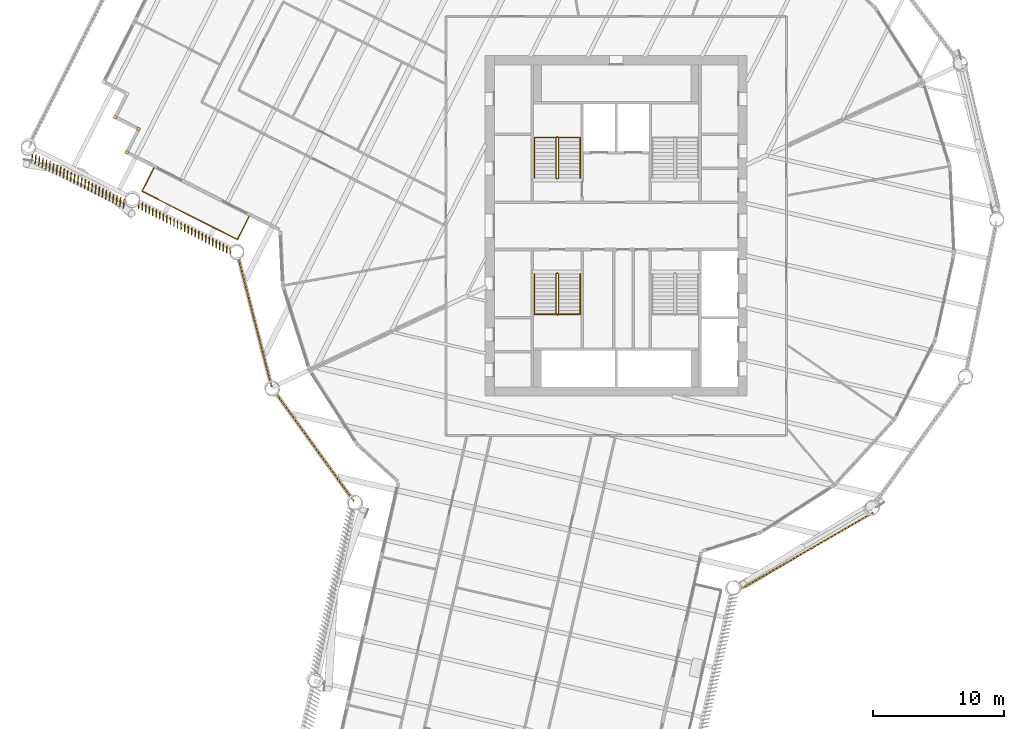
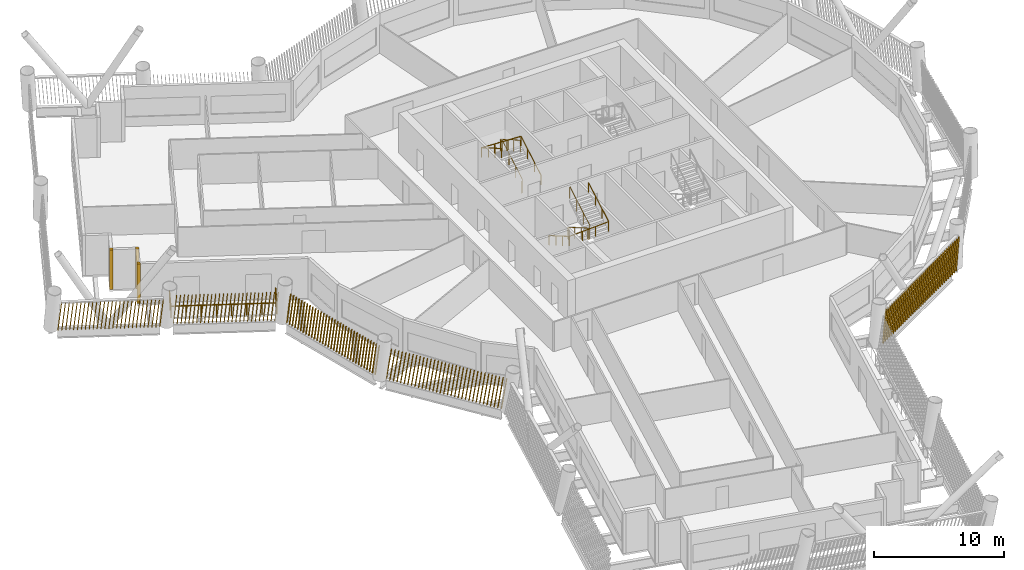
# One storey, part 18 of 21: 8 shading devices, 5 railings.
"""IFC4 building model written with IfcOpenShell, lengths in metres."""

import ifcopenshell
import ifcopenshell.guid

model = None  # the IFC model being written
_history = None  # IfcOwnerHistory: only IFC2X3 demands one
_inside = {}  # id of a spatial element -> (the spatial element, [elements in it])
_under = {}  # id of a project, library or spatial element -> (it, [spatial elements below it])
_declared = {}  # id of a project -> (the project, [libraries it declares])
_typed = {}  # id of a type object -> (the type object, [elements of that type])
_made_of = {}  # id of a material, layer set ... -> (it, [elements and type objects made of it])


def new_model(schema):
    """Start an empty IFC model of exactly this schema.

    Asked for "IFC4X3", IfcOpenShell would pick the latest addendum, in which some entities
    have other attributes; the version numbers below select the first issue.
    IFC2X3 requires an IfcOwnerHistory on every rooted entity: one is made here for all.
    """
    global model, _history
    if schema == "IFC4X3":
        model = ifcopenshell.file(schema_version=(4, 3, 0, 0))
    else:
        model = ifcopenshell.file(schema=schema)
    _inside.clear()
    _under.clear()
    _declared.clear()
    _typed.clear()
    _made_of.clear()
    _history = None
    if model.schema == "IFC2X3":
        org = make("IfcOrganization", Name="unknown")
        user = make(
            "IfcPersonAndOrganization",
            ThePerson=make("IfcPerson", FamilyName="unknown"),
            TheOrganization=org,
        )
        app = make(
            "IfcApplication",
            ApplicationDeveloper=org,
            Version="unknown",
            ApplicationFullName="unknown",
            ApplicationIdentifier="unknown",
        )
        _history = make(
            "IfcOwnerHistory",
            OwningUser=user,
            OwningApplication=app,
            ChangeAction="ADDED",
            CreationDate=0,
        )
    return model


def make(cls, **values):
    """One entity of the class cls with the attributes given. An attribute that is None is left unset."""
    return model.create_entity(
        cls, **{name: value for name, value in values.items() if value is not None}
    )


def rooted(cls, **values):
    """An entity with a GlobalId (a new one), such as an element, a storey or a relation."""
    return make(cls, GlobalId=ifcopenshell.guid.new(), OwnerHistory=_history, **values)


def si_unit(unit_type, name, prefix=None):
    """IfcSIUnit, for example si_unit("LENGTHUNIT", "METRE", prefix="MILLI")."""
    return make("IfcSIUnit", UnitType=unit_type, Prefix=prefix, Name=name)


def assignment(units):
    """IfcUnitAssignment: the units of a project."""
    return None if units is None else make("IfcUnitAssignment", Units=units)


def point(xyz):
    """IfcCartesianPoint."""
    return None if xyz is None else make("IfcCartesianPoint", Coordinates=xyz)


def direction(xyz):
    """IfcDirection."""
    return None if xyz is None else make("IfcDirection", DirectionRatios=xyz)


def frame(location, z_axis=None, x_axis=None):
    """IfcAxis2Placement3D, a coordinate frame: its origin and axes. An axis left out is left unset."""
    return make(
        "IfcAxis2Placement3D",
        Location=point(location),
        Axis=direction(z_axis),
        RefDirection=direction(x_axis),
    )


def frame_2d(location, x_axis=None):
    """IfcAxis2Placement2D, a coordinate frame in the plane: its origin and x axis."""
    return make(
        "IfcAxis2Placement2D", Location=point(location), RefDirection=direction(x_axis)
    )


def origin():
    """The frame at (0, 0, 0) with its axes left unset."""
    return frame((0.0, 0.0, 0.0))


def origin_2d():
    """The frame at (0, 0) in the plane with its x axis left unset."""
    return frame_2d((0.0, 0.0))


def place(relative_to, where):
    """IfcLocalPlacement: puts the frame where relative to a parent placement (None: the world)."""
    return make(
        "IfcLocalPlacement", PlacementRelTo=relative_to, RelativePlacement=where
    )


def context(
    kind, dimensions, precision=None, world=None, true_north=None, identifier=None
):
    """IfcGeometricRepresentationContext, for example the 3D "Model" context."""
    return make(
        "IfcGeometricRepresentationContext",
        ContextIdentifier=identifier,
        ContextType=kind,
        CoordinateSpaceDimension=dimensions,
        Precision=precision,
        WorldCoordinateSystem=world,
        TrueNorth=true_north,
    )


def subcontext(parent, identifier, kind, view, scale=None):
    """IfcGeometricRepresentationSubContext, for example "Body" below "Model"."""
    return make(
        "IfcGeometricRepresentationSubContext",
        ContextIdentifier=identifier,
        ContextType=kind,
        ParentContext=parent,
        TargetScale=scale,
        TargetView=view,
    )


def project(units=None, contexts=None):
    """IfcProject with its units and contexts."""
    return rooted(
        "IfcProject",
        Name="project",
        RepresentationContexts=contexts,
        UnitsInContext=assignment(units),
    )


def spatial(cls, under=None, at=None, **own):
    """A site, building, storey or space (cls), placed at a placement, below another one or the project."""
    s = rooted(cls, ObjectPlacement=at, **own)
    if under is not None:
        _under.setdefault(under.id(), (under, []))[1].append(s)
    return s


def profile(cls, at=None, kind="AREA", **sizes):
    """A parametric profile (cls). Its sizes go by their IFC names, for example OverallWidth=200.0."""
    return make(cls, ProfileType=kind, Position=at, **sizes)


def rectangle(**sizes):
    """IfcRectangleProfileDef."""
    return profile("IfcRectangleProfileDef", **sizes)


def circle(**sizes):
    """IfcCircleProfileDef."""
    return profile("IfcCircleProfileDef", **sizes)


def composite_profile(profiles, kind="AREA"):
    """IfcCompositeProfileDef: several profiles as one."""
    return make("IfcCompositeProfileDef", ProfileType=kind, Profiles=profiles)


def extrude(swept, where, along, depth):
    """IfcExtrudedAreaSolid: the profile swept, set in the frame where, extruded along a direction by depth."""
    return make(
        "IfcExtrudedAreaSolid",
        SweptArea=swept,
        Position=where,
        ExtrudedDirection=direction(along),
        Depth=depth,
    )


def shape(context_of_items, identifier, shape_type, items):
    """IfcShapeRepresentation: the items that make up one representation, for example the "Body"."""
    return make(
        "IfcShapeRepresentation",
        ContextOfItems=context_of_items,
        RepresentationIdentifier=identifier,
        RepresentationType=shape_type,
        Items=items,
    )


def material(Name=None, Category=None):
    """IfcMaterial."""
    return make("IfcMaterial", Name=Name, Category=Category)


def made_of(thing, what):
    """Note that an element or type object is made of a material, layer set ...; save() writes the relation."""
    if what is not None:
        _made_of.setdefault(what.id(), (what, []))[1].append(thing)
    return thing


def type_object(cls, material=None, **own):
    """A type object (cls), such as IfcWallType, which elements share."""
    return made_of(rooted(cls, **own), material)


def element(
    cls,
    number,
    at=None,
    inside=None,
    cuts=None,
    type_object=None,
    material=None,
    context=None,
    identifier="Body",
    shape_type=None,
    held_by="IfcProductDefinitionShape",
    body=None,
    shapes=None,
    **own,
):
    """One element of the class cls, such as IfcWall. Its Tag is "e" and its number.

    at: its placement. inside: the storey or other place that contains it. cuts: it is an
    opening in that element (IfcRelVoidsElement). A single representation is given by context,
    identifier, shape_type and body (its items); several are given by shapes. held_by: the class
    of the entity that holds the representations. save() writes the other relations.
    """
    e = rooted(cls, Tag="e%d" % number, ObjectPlacement=at, **own)
    if body is not None:
        shapes = [shape(context, identifier, shape_type, body)]
    if shapes is not None:
        e.Representation = make(held_by, Representations=shapes)
    if inside is not None:
        _inside.setdefault(inside.id(), (inside, []))[1].append(e)
    if cuts is not None:
        rooted(
            "IfcRelVoidsElement", RelatingBuildingElement=cuts, RelatedOpeningElement=e
        )
    if type_object is not None:
        _typed.setdefault(type_object.id(), (type_object, []))[1].append(e)
    return made_of(e, material)


def aggregate(whole, parts):
    """IfcRelAggregates: a whole, such as a stair, and the parts it consists of."""
    return rooted("IfcRelAggregates", RelatingObject=whole, RelatedObjects=parts)


def save(model, path):
    """Write the relations noted so far, then the file.

    IfcRelAggregates (storeys below a building ...), IfcRelContainedInSpatialStructure (elements
    in a storey), IfcRelDefinesByType, IfcRelAssociatesMaterial and IfcRelDeclares: one each for
    every whole, place, type object, material and project.
    """
    for whole, parts in _under.values():
        aggregate(whole, parts)
    for where, things in _inside.values():
        rooted(
            "IfcRelContainedInSpatialStructure",
            RelatedElements=things,
            RelatingStructure=where,
        )
    for kind, things in _typed.values():
        rooted("IfcRelDefinesByType", RelatedObjects=things, RelatingType=kind)
    for what, things in _made_of.values():
        rooted("IfcRelAssociatesMaterial", RelatedObjects=things, RelatingMaterial=what)
    for by, libraries in _declared.values():
        rooted("IfcRelDeclares", RelatingContext=by, RelatedDefinitions=libraries)
    model.write(path)


model = new_model("IFC4")

# Units and contexts
model_context = context("Model", 3, precision=1e-05, world=origin(), true_north=direction((0.0, 1.0)))
body_context = subcontext(model_context, "Body", "Model", "MODEL_VIEW")
ifc_project = project(units=[si_unit("LENGTHUNIT", "METRE"), si_unit("AREAUNIT", "SQUARE_METRE"), si_unit("VOLUMEUNIT", "CUBIC_METRE"), si_unit("PLANEANGLEUNIT", "RADIAN"), si_unit("MASSUNIT", "GRAM", prefix="KILO")], contexts=[model_context])

# Site, building, storey
site_placement = place(None, origin())
site = spatial("IfcSite", under=ifc_project, at=site_placement, CompositionType="ELEMENT")
building_placement = place(site_placement, origin())
building = spatial("IfcBuilding", under=site, at=building_placement, Name="Tarsis Ring Headquarters", CompositionType="ELEMENT")
storey_placement = place(building_placement, frame((0.0, 0.0, 171.0)))
storey = spatial("IfcBuildingStorey", under=building, at=storey_placement, Name="L39", CompositionType="ELEMENT", Elevation=171.0)

# Railings
ifc_material_1 = material(Name="Stainless steel guard", Category="steel")
railing_type_1 = type_object("IfcRailingType", Name="Balcony balustrade with mesh infill 1100", PredefinedType="BALUSTRADE", material=ifc_material_1)
railing_1_placement = place(storey_placement, frame((-35.3076171875, 4.430419921875, 0.0)))
element("IfcRailing", 1, at=railing_1_placement, inside=storey, type_object=railing_type_1, Name="Balcony balustrade L39-01", PredefinedType="BALUSTRADE", context=body_context, shape_type="SweptSolid", body=[
    extrude(circle(Radius=0.030029296875, at=origin_2d()), frame((0.0, 0.0, 1.070068359375), z_axis=(-0.45174850935, -0.892145326895, 0.0), x_axis=(0.892145326895, -0.45174850935, 0.0)), (0.0, 0.0, 1.0), 2.000244140625),
    extrude(circle(Radius=0.030029296875, at=origin_2d()), frame((-0.903564453125, -1.784423828125, 1.070068359375), z_axis=(0.892114937512, -0.451808519473, 0.0), x_axis=(0.451808519473, 0.892114937512, 0.0)), (0.0, 0.0, 1.0), 8.171875),
    extrude(circle(Radius=0.030029296875, at=origin_2d()), frame((6.38671875, -5.4765625, 1.070068359375), z_axis=(0.451894856245, 0.892071207303, 0.0), x_axis=(-0.892071207303, 0.451894856245, 0.0)), (0.0, 0.0, 1.0), 2.0),
    extrude(circle(Radius=0.02490234375, at=origin_2d()), origin(), (0.0, 0.0, 1.0), 1.0400390625),
    extrude(circle(Radius=0.02490234375, at=origin_2d()), frame((-0.45166015625, -0.89208984375, 0.0)), (0.0, 0.0, 1.0), 1.0400390625),
    extrude(circle(Radius=0.02490234375, at=origin_2d()), frame((-0.903564453125, -1.784423828125, 0.0)), (0.0, 0.0, 1.0), 1.0400390625),
    extrude(circle(Radius=0.02490234375, at=origin_2d()), frame((0.137939453125, -2.311767578125, 0.0)), (0.0, 0.0, 1.0), 1.0400390625),
    extrude(circle(Radius=0.02490234375, at=origin_2d()), frame((1.179443359375, -2.83935546875, 0.0)), (0.0, 0.0, 1.0), 1.0400390625),
    extrude(circle(Radius=0.02490234375, at=origin_2d()), frame((2.220947265625, -3.36669921875, 0.0)), (0.0, 0.0, 1.0), 1.0400390625),
    extrude(circle(Radius=0.02490234375, at=origin_2d()), frame((3.26220703125, -3.894287109375, 0.0)), (0.0, 0.0, 1.0), 1.0400390625),
    extrude(circle(Radius=0.02490234375, at=origin_2d()), frame((4.3037109375, -4.421630859375, 0.0)), (0.0, 0.0, 1.0), 1.0400390625),
    extrude(circle(Radius=0.02490234375, at=origin_2d()), frame((5.34521484375, -4.94921875, 0.0)), (0.0, 0.0, 1.0), 1.0400390625),
    extrude(circle(Radius=0.02490234375, at=origin_2d()), frame((6.38671875, -5.4765625, 0.0)), (0.0, 0.0, 1.0), 1.0400390625),
    extrude(circle(Radius=0.02490234375, at=origin_2d()), frame((6.838623046875, -4.58447265625, 0.0)), (0.0, 0.0, 1.0), 1.0400390625),
    extrude(circle(Radius=0.02490234375, at=origin_2d()), frame((7.29052734375, -3.6923828125, 0.0)), (0.0, 0.0, 1.0), 1.0400390625),
])
ifc_material_2 = material(Name="Steel S355", Category="steel")
railing_type_2 = type_object("IfcRailingType", Name="Core stair guard 1100", PredefinedType="GUARDRAIL", material=ifc_material_2)
railing_2_placement = place(storey_placement, frame((-4.5400390625, 3.610107421875, 0.0)))
element("IfcRailing", 2, at=railing_2_placement, inside=storey, type_object=railing_type_2, Name="L39 ST1 stair guard 1", PredefinedType="GUARDRAIL", context=body_context, shape_type="SweptSolid", body=[
    extrude(circle(Radius=0.02392578125, at=origin_2d()), frame((0.0, 0.0, 1.076171875), z_axis=(1.0, 0.0, 0.0), x_axis=(0.0, 1.0, 0.0)), (0.0, 0.0, 1.0), 0.080078125),
    extrude(circle(Radius=0.02392578125, at=origin_2d()), frame((0.080078125, 0.0, 1.076171875), z_axis=(0.282336740067, 0.280959487676, 0.917250092119), x_axis=(-0.705375805398, 0.708833529934, 0.0)), (0.0, 0.0, 1.0), 0.17724609375),
    extrude(circle(Radius=0.02392578125, at=origin_2d()), frame((0.130126953125, 0.0498046875, 1.23876953125), z_axis=(0.0, 0.864920483161, 0.501908913857), x_axis=(-1.0, 0.0, 0.0)), (0.0, 0.0, 1.0), 3.56103515625),
    extrude(circle(Radius=0.02392578125, at=origin_2d()), frame((0.130126953125, 3.1298828125, 3.02587890625), z_axis=(-0.707106781187, 0.707106781187, 0.0), x_axis=(-0.707106781187, -0.707106781187, 0.0)), (0.0, 0.0, 1.0), 0.07080078125),
    extrude(circle(Radius=0.02392578125, at=origin_2d()), frame((0.080078125, 3.179931640625, 3.02587890625), z_axis=(-1.0, 0.0, 0.0), x_axis=(0.0, -1.0, 0.0)), (0.0, 0.0, 1.0), 0.080078125),
    extrude(circle(Radius=0.02392578125, at=origin_2d()), frame((0.0, 3.179931640625, 3.02587890625), z_axis=(-0.282227285176, -0.282227285176, 0.916894497205), x_axis=(0.707106781187, -0.707106781187, 0.0)), (0.0, 0.0, 1.0), 0.17724609375),
    extrude(circle(Radius=0.02392578125, at=origin_2d()), frame((-0.050048828125, 3.1298828125, 3.1884765625), z_axis=(0.0, -0.864920483161, 0.501908913857), x_axis=(1.0, 0.0, 0.0)), (0.0, 0.0, 1.0), 3.56103515625),
    extrude(circle(Radius=0.02099609375, at=origin_2d()), origin(), (0.0, 0.0, 1.0), 1.052001953125),
    extrude(circle(Radius=0.02099609375, at=origin_2d()), frame((0.080078125, 0.0, 0.0)), (0.0, 0.0, 1.0), 1.052001953125),
    extrude(circle(Radius=0.02099609375, at=origin_2d()), frame((0.130126953125, 0.0498046875, 0.16259765625)), (0.0, 0.0, 1.0), 1.052001953125),
    extrude(circle(Radius=0.02099609375, at=origin_2d()), frame((0.130126953125, 1.076416015625, 0.75830078125)), (0.0, 0.0, 1.0), 1.052001953125),
    extrude(circle(Radius=0.02099609375, at=origin_2d()), frame((0.130126953125, 2.103271484375, 1.354248046875)), (0.0, 0.0, 1.0), 1.052001953125),
    extrude(circle(Radius=0.02099609375, at=origin_2d()), frame((0.130126953125, 3.1298828125, 1.949951171875)), (0.0, 0.0, 1.0), 1.052001953125),
    extrude(circle(Radius=0.02099609375, at=origin_2d()), frame((0.080078125, 3.179931640625, 1.949951171875)), (0.0, 0.0, 1.0), 1.052001953125),
    extrude(circle(Radius=0.02099609375, at=origin_2d()), frame((0.0, 3.179931640625, 1.949951171875)), (0.0, 0.0, 1.0), 1.052001953125),
    extrude(circle(Radius=0.02099609375, at=origin_2d()), frame((-0.050048828125, 3.1298828125, 2.112548828125)), (0.0, 0.0, 1.0), 1.052001953125),
    extrude(circle(Radius=0.02099609375, at=origin_2d()), frame((-0.050048828125, 2.103271484375, 2.708251953125)), (0.0, 0.0, 1.0), 1.052001953125),
    extrude(circle(Radius=0.02099609375, at=origin_2d()), frame((-0.050048828125, 1.076416015625, 3.30419921875)), (0.0, 0.0, 1.0), 1.052001953125),
    extrude(circle(Radius=0.02099609375, at=origin_2d()), frame((-0.050048828125, 0.0498046875, 3.89990234375)), (0.0, 0.0, 1.0), 1.052001953125),
])
railing_3_placement = place(storey_placement, frame((-4.4599609375, -3.610107421875, 0.0)))
element("IfcRailing", 3, at=railing_3_placement, inside=storey, type_object=railing_type_2, Name="L39 ST3 stair guard 1", PredefinedType="GUARDRAIL", context=body_context, shape_type="SweptSolid", body=[
    extrude(circle(Radius=0.02392578125, at=origin_2d()), frame((0.0, 0.0, 1.076171875), z_axis=(-1.0, 0.0, 0.0), x_axis=(0.0, -1.0, 0.0)), (0.0, 0.0, 1.0), 0.080078125),
    extrude(circle(Radius=0.02392578125, at=origin_2d()), frame((-0.080078125, 0.0, 1.076171875), z_axis=(-0.282336740067, -0.280959487676, 0.917250092119), x_axis=(0.705375805398, -0.708833529934, 0.0)), (0.0, 0.0, 1.0), 0.17724609375),
    extrude(circle(Radius=0.02392578125, at=origin_2d()), frame((-0.130126953125, -0.0498046875, 1.23876953125), z_axis=(0.0, -0.864920483161, 0.501908913857), x_axis=(1.0, 0.0, 0.0)), (0.0, 0.0, 1.0), 3.56103515625),
    extrude(circle(Radius=0.02392578125, at=origin_2d()), frame((-0.130126953125, -3.1298828125, 3.02587890625), z_axis=(0.707106781187, -0.707106781187, 0.0), x_axis=(0.707106781187, 0.707106781187, 0.0)), (0.0, 0.0, 1.0), 0.07080078125),
    extrude(circle(Radius=0.02392578125, at=origin_2d()), frame((-0.080078125, -3.179931640625, 3.02587890625), z_axis=(1.0, 0.0, 0.0), x_axis=(0.0, 1.0, 0.0)), (0.0, 0.0, 1.0), 0.080078125),
    extrude(circle(Radius=0.02392578125, at=origin_2d()), frame((0.0, -3.179931640625, 3.02587890625), z_axis=(0.282227285176, 0.282227285176, 0.916894497205), x_axis=(-0.707106781187, 0.707106781187, 0.0)), (0.0, 0.0, 1.0), 0.17724609375),
    extrude(circle(Radius=0.02392578125, at=origin_2d()), frame((0.050048828125, -3.1298828125, 3.1884765625), z_axis=(0.0, 0.864920483161, 0.501908913857), x_axis=(-1.0, 0.0, 0.0)), (0.0, 0.0, 1.0), 3.56103515625),
    extrude(circle(Radius=0.02099609375, at=origin_2d()), origin(), (0.0, 0.0, 1.0), 1.052001953125),
    extrude(circle(Radius=0.02099609375, at=origin_2d()), frame((-0.080078125, 0.0, 0.0)), (0.0, 0.0, 1.0), 1.052001953125),
    extrude(circle(Radius=0.02099609375, at=origin_2d()), frame((-0.130126953125, -0.0498046875, 0.16259765625)), (0.0, 0.0, 1.0), 1.052001953125),
    extrude(circle(Radius=0.02099609375, at=origin_2d()), frame((-0.130126953125, -1.076416015625, 0.75830078125)), (0.0, 0.0, 1.0), 1.052001953125),
    extrude(circle(Radius=0.02099609375, at=origin_2d()), frame((-0.130126953125, -2.103271484375, 1.354248046875)), (0.0, 0.0, 1.0), 1.052001953125),
    extrude(circle(Radius=0.02099609375, at=origin_2d()), frame((-0.130126953125, -3.1298828125, 1.949951171875)), (0.0, 0.0, 1.0), 1.052001953125),
    extrude(circle(Radius=0.02099609375, at=origin_2d()), frame((-0.080078125, -3.179931640625, 1.949951171875)), (0.0, 0.0, 1.0), 1.052001953125),
    extrude(circle(Radius=0.02099609375, at=origin_2d()), frame((0.0, -3.179931640625, 1.949951171875)), (0.0, 0.0, 1.0), 1.052001953125),
    extrude(circle(Radius=0.02099609375, at=origin_2d()), frame((0.050048828125, -3.1298828125, 2.112548828125)), (0.0, 0.0, 1.0), 1.052001953125),
    extrude(circle(Radius=0.02099609375, at=origin_2d()), frame((0.050048828125, -2.103271484375, 2.708251953125)), (0.0, 0.0, 1.0), 1.052001953125),
    extrude(circle(Radius=0.02099609375, at=origin_2d()), frame((0.050048828125, -1.076416015625, 3.30419921875)), (0.0, 0.0, 1.0), 1.052001953125),
    extrude(circle(Radius=0.02099609375, at=origin_2d()), frame((0.050048828125, -0.0498046875, 3.89990234375)), (0.0, 0.0, 1.0), 1.052001953125),
])
railing_type_3 = type_object("IfcRailingType", Name="Core stair handrail 900", PredefinedType="HANDRAIL", material=ifc_material_2)
railing_4_placement = place(storey_placement, frame((-2.75, 3.659912109375, 0.16259765625)))
element("IfcRailing", 4, at=railing_4_placement, inside=storey, type_object=railing_type_3, Name="L39 ST1 stair handrail 1", PredefinedType="HANDRAIL", context=body_context, shape_type="SweptSolid", body=[
    extrude(circle(Radius=0.02392578125, at=origin_2d()), frame((0.0, 0.0, 0.8759765625), z_axis=(0.0, 0.864920483161, 0.501908913857), x_axis=(-1.0, 0.0, 0.0)), (0.0, 0.0, 1.0), 3.56103515625),
    extrude(circle(Radius=0.02392578125, at=origin_2d()), frame((0.0, 3.080078125, 2.6630859375), z_axis=(-0.998922641604, 0.0, 0.046406422943), x_axis=(0.0, -1.0, 0.0)), (0.0, 0.0, 1.0), 3.503662109375),
    extrude(circle(Radius=0.02392578125, at=origin_2d()), frame((-3.5, 3.080078125, 2.82568359375), z_axis=(0.0, -0.864920483161, 0.501908913857), x_axis=(1.0, 0.0, 0.0)), (0.0, 0.0, 1.0), 3.56103515625),
    extrude(circle(Radius=0.02099609375, at=origin_2d()), origin(), (0.0, 0.0, 1.0), 0.851806640625),
    extrude(circle(Radius=0.02099609375, at=origin_2d()), frame((0.0, 1.026611328125, 0.595703125)), (0.0, 0.0, 1.0), 0.851806640625),
    extrude(circle(Radius=0.02099609375, at=origin_2d()), frame((0.0, 2.053466796875, 1.191650390625)), (0.0, 0.0, 1.0), 0.851806640625),
    extrude(circle(Radius=0.02099609375, at=origin_2d()), frame((0.0, 3.080078125, 1.787353515625)), (0.0, 0.0, 1.0), 0.851806640625),
    extrude(circle(Radius=0.02099609375, at=origin_2d()), frame((-1.166748046875, 3.080078125, 1.841552734375)), (0.0, 0.0, 1.0), 0.851806640625),
    extrude(circle(Radius=0.02099609375, at=origin_2d()), frame((-2.333251953125, 3.080078125, 1.895751953125)), (0.0, 0.0, 1.0), 0.851806640625),
    extrude(circle(Radius=0.02099609375, at=origin_2d()), frame((-3.5, 3.080078125, 1.949951171875)), (0.0, 0.0, 1.0), 0.851806640625),
    extrude(circle(Radius=0.02099609375, at=origin_2d()), frame((-3.5, 2.053466796875, 2.545654296875)), (0.0, 0.0, 1.0), 0.851806640625),
    extrude(circle(Radius=0.02099609375, at=origin_2d()), frame((-3.5, 1.026611328125, 3.1416015625)), (0.0, 0.0, 1.0), 0.851806640625),
    extrude(circle(Radius=0.02099609375, at=origin_2d()), frame((-3.5, 0.0, 3.7373046875)), (0.0, 0.0, 1.0), 0.851806640625),
])
railing_5_placement = place(storey_placement, frame((-6.25, -3.659912109375, 0.16259765625)))
element("IfcRailing", 5, at=railing_5_placement, inside=storey, type_object=railing_type_3, Name="L39 ST3 stair handrail 1", PredefinedType="HANDRAIL", context=body_context, shape_type="SweptSolid", body=[
    extrude(circle(Radius=0.02392578125, at=origin_2d()), frame((0.0, 0.0, 0.8759765625), z_axis=(0.0, -0.864920483161, 0.501908913857), x_axis=(1.0, 0.0, 0.0)), (0.0, 0.0, 1.0), 3.56103515625),
    extrude(circle(Radius=0.02392578125, at=origin_2d()), frame((0.0, -3.080078125, 2.6630859375), z_axis=(0.998922641604, 0.0, 0.046406422943), x_axis=(0.0, 1.0, 0.0)), (0.0, 0.0, 1.0), 3.503662109375),
    extrude(circle(Radius=0.02392578125, at=origin_2d()), frame((3.5, -3.080078125, 2.82568359375), z_axis=(0.0, 0.864920483161, 0.501908913857), x_axis=(-1.0, 0.0, 0.0)), (0.0, 0.0, 1.0), 3.56103515625),
    extrude(circle(Radius=0.02099609375, at=origin_2d()), origin(), (0.0, 0.0, 1.0), 0.851806640625),
    extrude(circle(Radius=0.02099609375, at=origin_2d()), frame((0.0, -1.026611328125, 0.595703125)), (0.0, 0.0, 1.0), 0.851806640625),
    extrude(circle(Radius=0.02099609375, at=origin_2d()), frame((0.0, -2.053466796875, 1.191650390625)), (0.0, 0.0, 1.0), 0.851806640625),
    extrude(circle(Radius=0.02099609375, at=origin_2d()), frame((0.0, -3.080078125, 1.787353515625)), (0.0, 0.0, 1.0), 0.851806640625),
    extrude(circle(Radius=0.02099609375, at=origin_2d()), frame((1.166748046875, -3.080078125, 1.841552734375)), (0.0, 0.0, 1.0), 0.851806640625),
    extrude(circle(Radius=0.02099609375, at=origin_2d()), frame((2.333251953125, -3.080078125, 1.895751953125)), (0.0, 0.0, 1.0), 0.851806640625),
    extrude(circle(Radius=0.02099609375, at=origin_2d()), frame((3.5, -3.080078125, 1.949951171875)), (0.0, 0.0, 1.0), 0.851806640625),
    extrude(circle(Radius=0.02099609375, at=origin_2d()), frame((3.5, -2.053466796875, 2.545654296875)), (0.0, 0.0, 1.0), 0.851806640625),
    extrude(circle(Radius=0.02099609375, at=origin_2d()), frame((3.5, -1.026611328125, 3.1416015625)), (0.0, 0.0, 1.0), 0.851806640625),
    extrude(circle(Radius=0.02099609375, at=origin_2d()), frame((3.5, 0.0, 3.7373046875)), (0.0, 0.0, 1.0), 0.851806640625),
])

# Shading devices
ifc_material_3 = material(Name="Terracotta baguette", Category="masonry")
shading_device_type_1 = type_object("IfcShadingDeviceType", Name="Terracotta baguette screen", PredefinedType="USERDEFINED", material=ifc_material_3)
shading_device_1_placement = place(storey_placement, frame((-26.004150390625, -12.74609375, 0.0), z_axis=(0.0, 0.0, 1.0), x_axis=(0.585309181761, -0.810818238601, 0.0)))
element("IfcShadingDevice", 6, at=shading_device_1_placement, inside=storey, type_object=shading_device_type_1, Name="Baguette screen L39-00", ObjectType="Terracotta baguette screen", PredefinedType="USERDEFINED", context=body_context, shape_type="SweptSolid", body=[
    extrude(composite_profile([rectangle(XDim=0.06005859375, YDim=0.1201171875, at=frame_2d((0.030029296875, 0.0))), rectangle(XDim=0.06005859375, YDim=0.1201171875, at=frame_2d((0.33349609375, 0.0))), rectangle(XDim=0.06005859375, YDim=0.1201171875, at=frame_2d((0.636962890625, 0.0))), rectangle(XDim=0.06005859375, YDim=0.1201171875, at=frame_2d((0.9404296875, 0.0))), rectangle(XDim=0.06005859375, YDim=0.1201171875, at=frame_2d((1.243896484375, 0.0))), rectangle(XDim=0.06005859375, YDim=0.1201171875, at=frame_2d((1.54736328125, 0.0))), rectangle(XDim=0.06005859375, YDim=0.1201171875, at=frame_2d((1.85107421875, 0.0))), rectangle(XDim=0.06005859375, YDim=0.1201171875, at=frame_2d((2.154541015625, 0.0))), rectangle(XDim=0.06005859375, YDim=0.1201171875, at=frame_2d((2.4580078125, 0.0))), rectangle(XDim=0.06005859375, YDim=0.1201171875, at=frame_2d((2.761474609375, 0.0))), rectangle(XDim=0.06005859375, YDim=0.1201171875, at=frame_2d((3.06494140625, 0.0))), rectangle(XDim=0.06005859375, YDim=0.1201171875, at=frame_2d((3.368408203125, 0.0))), rectangle(XDim=0.06005859375, YDim=0.1201171875, at=frame_2d((3.671875, 0.0))), rectangle(XDim=0.06005859375, YDim=0.1201171875, at=frame_2d((3.975341796875, 0.0))), rectangle(XDim=0.06005859375, YDim=0.1201171875, at=frame_2d((4.27880859375, 0.0))), rectangle(XDim=0.06005859375, YDim=0.1201171875, at=frame_2d((4.582275390625, 0.0))), rectangle(XDim=0.06005859375, YDim=0.1201171875, at=frame_2d((4.8857421875, 0.0))), rectangle(XDim=0.06005859375, YDim=0.1201171875, at=frame_2d((5.189453125, 0.0))), rectangle(XDim=0.06005859375, YDim=0.1201171875, at=frame_2d((5.492919921875, 0.0))), rectangle(XDim=0.06005859375, YDim=0.1201171875, at=frame_2d((5.79638671875, 0.0))), rectangle(XDim=0.06005859375, YDim=0.1201171875, at=frame_2d((6.099853515625, 0.0))), rectangle(XDim=0.06005859375, YDim=0.1201171875, at=frame_2d((6.4033203125, 0.0))), rectangle(XDim=0.06005859375, YDim=0.1201171875, at=frame_2d((6.706787109375, 0.0))), rectangle(XDim=0.06005859375, YDim=0.1201171875, at=frame_2d((7.01025390625, 0.0))), rectangle(XDim=0.06005859375, YDim=0.1201171875, at=frame_2d((7.313720703125, 0.0))), rectangle(XDim=0.06005859375, YDim=0.1201171875, at=frame_2d((7.6171875, 0.0))), rectangle(XDim=0.06005859375, YDim=0.1201171875, at=frame_2d((7.920654296875, 0.0))), rectangle(XDim=0.06005859375, YDim=0.1201171875, at=frame_2d((8.224365234375, 0.0))), rectangle(XDim=0.06005859375, YDim=0.1201171875, at=frame_2d((8.52783203125, 0.0))), rectangle(XDim=0.06005859375, YDim=0.1201171875, at=frame_2d((8.831298828125, 0.0))), rectangle(XDim=0.06005859375, YDim=0.1201171875, at=frame_2d((9.134765625, 0.0))), rectangle(XDim=0.06005859375, YDim=0.1201171875, at=frame_2d((9.438232421875, 0.0))), rectangle(XDim=0.06005859375, YDim=0.1201171875, at=frame_2d((9.74169921875, 0.0)))]), origin(), (0.150265219103, 0.001181137423, 0.988645016597), 2.98388671875),
])
shading_device_2_placement = place(storey_placement, frame((9.486083984375, -27.738037109375, 0.0), z_axis=(0.0, 0.0, 1.0), x_axis=(0.866521975041, 0.499120998372, 0.0)))
element("IfcShadingDevice", 7, at=shading_device_2_placement, inside=storey, type_object=shading_device_type_1, Name="Baguette screen L39-07", ObjectType="Terracotta baguette screen", PredefinedType="USERDEFINED", context=body_context, shape_type="SweptSolid", body=[
    extrude(composite_profile([rectangle(XDim=0.06005859375, YDim=0.1201171875, at=frame_2d((0.030029296875, 0.0))), rectangle(XDim=0.06005859375, YDim=0.1201171875, at=frame_2d((0.33251953125, 0.0))), rectangle(XDim=0.06005859375, YDim=0.1201171875, at=frame_2d((0.634765625, 0.0))), rectangle(XDim=0.06005859375, YDim=0.1201171875, at=frame_2d((0.937255859375, 0.0))), rectangle(XDim=0.06005859375, YDim=0.1201171875, at=frame_2d((1.239501953125, 0.0))), rectangle(XDim=0.06005859375, YDim=0.1201171875, at=frame_2d((1.5419921875, 0.0))), rectangle(XDim=0.06005859375, YDim=0.1201171875, at=frame_2d((1.844482421875, 0.0))), rectangle(XDim=0.06005859375, YDim=0.1201171875, at=frame_2d((2.146728515625, 0.0))), rectangle(XDim=0.06005859375, YDim=0.1201171875, at=frame_2d((2.44921875, 0.0))), rectangle(XDim=0.06005859375, YDim=0.1201171875, at=frame_2d((2.751708984375, 0.0))), rectangle(XDim=0.06005859375, YDim=0.1201171875, at=frame_2d((3.053955078125, 0.0))), rectangle(XDim=0.06005859375, YDim=0.1201171875, at=frame_2d((3.3564453125, 0.0))), rectangle(XDim=0.06005859375, YDim=0.1201171875, at=frame_2d((3.65869140625, 0.0))), rectangle(XDim=0.06005859375, YDim=0.1201171875, at=frame_2d((3.961181640625, 0.0))), rectangle(XDim=0.06005859375, YDim=0.1201171875, at=frame_2d((4.263671875, 0.0))), rectangle(XDim=0.06005859375, YDim=0.1201171875, at=frame_2d((4.56591796875, 0.0))), rectangle(XDim=0.06005859375, YDim=0.1201171875, at=frame_2d((4.868408203125, 0.0))), rectangle(XDim=0.06005859375, YDim=0.1201171875, at=frame_2d((5.1708984375, 0.0))), rectangle(XDim=0.06005859375, YDim=0.1201171875, at=frame_2d((5.47314453125, 0.0))), rectangle(XDim=0.06005859375, YDim=0.1201171875, at=frame_2d((5.775634765625, 0.0))), rectangle(XDim=0.06005859375, YDim=0.1201171875, at=frame_2d((6.077880859375, 0.0))), rectangle(XDim=0.06005859375, YDim=0.1201171875, at=frame_2d((6.38037109375, 0.0))), rectangle(XDim=0.06005859375, YDim=0.1201171875, at=frame_2d((6.682861328125, 0.0))), rectangle(XDim=0.06005859375, YDim=0.1201171875, at=frame_2d((6.985107421875, 0.0))), rectangle(XDim=0.06005859375, YDim=0.1201171875, at=frame_2d((7.28759765625, 0.0))), rectangle(XDim=0.06005859375, YDim=0.1201171875, at=frame_2d((7.590087890625, 0.0))), rectangle(XDim=0.06005859375, YDim=0.1201171875, at=frame_2d((7.892333984375, 0.0))), rectangle(XDim=0.06005859375, YDim=0.1201171875, at=frame_2d((8.19482421875, 0.0))), rectangle(XDim=0.06005859375, YDim=0.1201171875, at=frame_2d((8.4970703125, 0.0))), rectangle(XDim=0.06005859375, YDim=0.1201171875, at=frame_2d((8.799560546875, 0.0))), rectangle(XDim=0.06005859375, YDim=0.1201171875, at=frame_2d((9.10205078125, 0.0))), rectangle(XDim=0.06005859375, YDim=0.1201171875, at=frame_2d((9.404296875, 0.0))), rectangle(XDim=0.06005859375, YDim=0.1201171875, at=frame_2d((9.706787109375, 0.0))), rectangle(XDim=0.06005859375, YDim=0.1201171875, at=frame_2d((10.00927734375, 0.0))), rectangle(XDim=0.06005859375, YDim=0.1201171875, at=frame_2d((10.3115234375, 0.0))), rectangle(XDim=0.06005859375, YDim=0.1201171875, at=frame_2d((10.614013671875, 0.0))), rectangle(XDim=0.06005859375, YDim=0.1201171875, at=frame_2d((10.916259765625, 0.0))), rectangle(XDim=0.06005859375, YDim=0.1201171875, at=frame_2d((11.21875, 0.0)))]), origin(), (0.151423807834, 0.001186798727, 0.98846821999), 2.984375),
])
shading_device_3_placement = place(storey_placement, frame((-44.592529296875, 5.57373046875, 0.0), z_axis=(0.0, 0.0, 1.0), x_axis=(0.892112336639, -0.451818209905, 0.0)))
element("IfcShadingDevice", 8, at=shading_device_3_placement, inside=storey, type_object=shading_device_type_1, Name="Baguette screen L39-19", ObjectType="Terracotta baguette screen", PredefinedType="USERDEFINED", context=body_context, shape_type="SweptSolid", body=[
    extrude(composite_profile([rectangle(XDim=0.06005859375, YDim=0.1201171875, at=frame_2d((0.030029296875, 0.0))), rectangle(XDim=0.06005859375, YDim=0.1201171875, at=frame_2d((0.33154296875, 0.0))), rectangle(XDim=0.06005859375, YDim=0.1201171875, at=frame_2d((0.63330078125, 0.0))), rectangle(XDim=0.06005859375, YDim=0.1201171875, at=frame_2d((0.934814453125, 0.0))), rectangle(XDim=0.06005859375, YDim=0.1201171875, at=frame_2d((1.236572265625, 0.0))), rectangle(XDim=0.06005859375, YDim=0.1201171875, at=frame_2d((1.5380859375, 0.0))), rectangle(XDim=0.06005859375, YDim=0.1201171875, at=frame_2d((1.83984375, 0.0))), rectangle(XDim=0.06005859375, YDim=0.1201171875, at=frame_2d((2.141357421875, 0.0))), rectangle(XDim=0.06005859375, YDim=0.1201171875, at=frame_2d((2.443115234375, 0.0))), rectangle(XDim=0.06005859375, YDim=0.1201171875, at=frame_2d((2.74462890625, 0.0))), rectangle(XDim=0.06005859375, YDim=0.1201171875, at=frame_2d((3.04638671875, 0.0))), rectangle(XDim=0.06005859375, YDim=0.1201171875, at=frame_2d((3.347900390625, 0.0))), rectangle(XDim=0.06005859375, YDim=0.1201171875, at=frame_2d((3.649658203125, 0.0))), rectangle(XDim=0.06005859375, YDim=0.1201171875, at=frame_2d((3.951171875, 0.0))), rectangle(XDim=0.06005859375, YDim=0.1201171875, at=frame_2d((4.252685546875, 0.0))), rectangle(XDim=0.06005859375, YDim=0.1201171875, at=frame_2d((4.554443359375, 0.0))), rectangle(XDim=0.06005859375, YDim=0.1201171875, at=frame_2d((4.85595703125, 0.0))), rectangle(XDim=0.06005859375, YDim=0.1201171875, at=frame_2d((5.15771484375, 0.0))), rectangle(XDim=0.06005859375, YDim=0.1201171875, at=frame_2d((5.459228515625, 0.0))), rectangle(XDim=0.06005859375, YDim=0.1201171875, at=frame_2d((5.760986328125, 0.0))), rectangle(XDim=0.06005859375, YDim=0.1201171875, at=frame_2d((6.0625, 0.0))), rectangle(XDim=0.06005859375, YDim=0.1201171875, at=frame_2d((6.3642578125, 0.0))), rectangle(XDim=0.06005859375, YDim=0.1201171875, at=frame_2d((6.665771484375, 0.0))), rectangle(XDim=0.06005859375, YDim=0.1201171875, at=frame_2d((6.967529296875, 0.0))), rectangle(XDim=0.06005859375, YDim=0.1201171875, at=frame_2d((7.26904296875, 0.0))), rectangle(XDim=0.06005859375, YDim=0.1201171875, at=frame_2d((7.57080078125, 0.0))), rectangle(XDim=0.06005859375, YDim=0.1201171875, at=frame_2d((7.872314453125, 0.0)))]), origin(), (0.080487926213, -0.198820423037, 0.976725208601), 3.020263671875),
])
shading_device_4_placement = place(storey_placement, frame((-36.4814453125, 1.88623046875, 0.0), z_axis=(0.0, 0.0, 1.0), x_axis=(0.892115669797, -0.451804251112, 0.0)))
element("IfcShadingDevice", 9, at=shading_device_4_placement, inside=storey, type_object=shading_device_type_1, Name="Baguette screen L39-20", ObjectType="Terracotta baguette screen", PredefinedType="USERDEFINED", context=body_context, shape_type="SweptSolid", body=[
    extrude(composite_profile([rectangle(XDim=0.06005859375, YDim=0.1201171875, at=frame_2d((0.030029296875, 0.0))), rectangle(XDim=0.06005859375, YDim=0.1201171875, at=frame_2d((0.33154296875, 0.0))), rectangle(XDim=0.06005859375, YDim=0.1201171875, at=frame_2d((0.63330078125, 0.0))), rectangle(XDim=0.06005859375, YDim=0.1201171875, at=frame_2d((0.934814453125, 0.0))), rectangle(XDim=0.06005859375, YDim=0.1201171875, at=frame_2d((1.236572265625, 0.0))), rectangle(XDim=0.06005859375, YDim=0.1201171875, at=frame_2d((1.5380859375, 0.0))), rectangle(XDim=0.06005859375, YDim=0.1201171875, at=frame_2d((1.83984375, 0.0))), rectangle(XDim=0.06005859375, YDim=0.1201171875, at=frame_2d((2.141357421875, 0.0))), rectangle(XDim=0.06005859375, YDim=0.1201171875, at=frame_2d((2.443115234375, 0.0))), rectangle(XDim=0.06005859375, YDim=0.1201171875, at=frame_2d((2.74462890625, 0.0))), rectangle(XDim=0.06005859375, YDim=0.1201171875, at=frame_2d((3.04638671875, 0.0))), rectangle(XDim=0.06005859375, YDim=0.1201171875, at=frame_2d((3.347900390625, 0.0))), rectangle(XDim=0.06005859375, YDim=0.1201171875, at=frame_2d((3.649658203125, 0.0))), rectangle(XDim=0.06005859375, YDim=0.1201171875, at=frame_2d((3.951171875, 0.0))), rectangle(XDim=0.06005859375, YDim=0.1201171875, at=frame_2d((4.252685546875, 0.0))), rectangle(XDim=0.06005859375, YDim=0.1201171875, at=frame_2d((4.554443359375, 0.0))), rectangle(XDim=0.06005859375, YDim=0.1201171875, at=frame_2d((4.85595703125, 0.0))), rectangle(XDim=0.06005859375, YDim=0.1201171875, at=frame_2d((5.15771484375, 0.0))), rectangle(XDim=0.06005859375, YDim=0.1201171875, at=frame_2d((5.459228515625, 0.0))), rectangle(XDim=0.06005859375, YDim=0.1201171875, at=frame_2d((5.760986328125, 0.0))), rectangle(XDim=0.06005859375, YDim=0.1201171875, at=frame_2d((6.0625, 0.0))), rectangle(XDim=0.06005859375, YDim=0.1201171875, at=frame_2d((6.3642578125, 0.0))), rectangle(XDim=0.06005859375, YDim=0.1201171875, at=frame_2d((6.665771484375, 0.0))), rectangle(XDim=0.06005859375, YDim=0.1201171875, at=frame_2d((6.967529296875, 0.0))), rectangle(XDim=0.06005859375, YDim=0.1201171875, at=frame_2d((7.26904296875, 0.0))), rectangle(XDim=0.06005859375, YDim=0.1201171875, at=frame_2d((7.57080078125, 0.0))), rectangle(XDim=0.06005859375, YDim=0.1201171875, at=frame_2d((7.872314453125, 0.0)))]), origin(), (0.078829485708, -0.153822480679, 0.984949012193), 2.9951171875),
])
shading_device_5_placement = place(storey_placement, frame((-28.86083984375, -2.394287109375, 0.0), z_axis=(0.0, 0.0, 1.0), x_axis=(0.249625224865, -0.968343993604, 0.0)))
element("IfcShadingDevice", 10, at=shading_device_5_placement, inside=storey, type_object=shading_device_type_1, Name="Baguette screen L39-21", ObjectType="Terracotta baguette screen", PredefinedType="USERDEFINED", context=body_context, shape_type="SweptSolid", body=[
    extrude(composite_profile([rectangle(XDim=0.06005859375, YDim=0.1201171875, at=frame_2d((0.030029296875, 0.0))), rectangle(XDim=0.06005859375, YDim=0.1201171875, at=frame_2d((0.33349609375, 0.0))), rectangle(XDim=0.06005859375, YDim=0.1201171875, at=frame_2d((0.636962890625, 0.0))), rectangle(XDim=0.06005859375, YDim=0.1201171875, at=frame_2d((0.9404296875, 0.0))), rectangle(XDim=0.06005859375, YDim=0.1201171875, at=frame_2d((1.243896484375, 0.0))), rectangle(XDim=0.06005859375, YDim=0.1201171875, at=frame_2d((1.54736328125, 0.0))), rectangle(XDim=0.06005859375, YDim=0.1201171875, at=frame_2d((1.850830078125, 0.0))), rectangle(XDim=0.06005859375, YDim=0.1201171875, at=frame_2d((2.154296875, 0.0))), rectangle(XDim=0.06005859375, YDim=0.1201171875, at=frame_2d((2.4580078125, 0.0))), rectangle(XDim=0.06005859375, YDim=0.1201171875, at=frame_2d((2.761474609375, 0.0))), rectangle(XDim=0.06005859375, YDim=0.1201171875, at=frame_2d((3.06494140625, 0.0))), rectangle(XDim=0.06005859375, YDim=0.1201171875, at=frame_2d((3.368408203125, 0.0))), rectangle(XDim=0.06005859375, YDim=0.1201171875, at=frame_2d((3.671875, 0.0))), rectangle(XDim=0.06005859375, YDim=0.1201171875, at=frame_2d((3.975341796875, 0.0))), rectangle(XDim=0.06005859375, YDim=0.1201171875, at=frame_2d((4.27880859375, 0.0))), rectangle(XDim=0.06005859375, YDim=0.1201171875, at=frame_2d((4.582275390625, 0.0))), rectangle(XDim=0.06005859375, YDim=0.1201171875, at=frame_2d((4.8857421875, 0.0))), rectangle(XDim=0.06005859375, YDim=0.1201171875, at=frame_2d((5.189208984375, 0.0))), rectangle(XDim=0.06005859375, YDim=0.1201171875, at=frame_2d((5.49267578125, 0.0))), rectangle(XDim=0.06005859375, YDim=0.1201171875, at=frame_2d((5.796142578125, 0.0))), rectangle(XDim=0.06005859375, YDim=0.1201171875, at=frame_2d((6.099609375, 0.0))), rectangle(XDim=0.06005859375, YDim=0.1201171875, at=frame_2d((6.403076171875, 0.0))), rectangle(XDim=0.06005859375, YDim=0.1201171875, at=frame_2d((6.70654296875, 0.0))), rectangle(XDim=0.06005859375, YDim=0.1201171875, at=frame_2d((7.010009765625, 0.0))), rectangle(XDim=0.06005859375, YDim=0.1201171875, at=frame_2d((7.3134765625, 0.0))), rectangle(XDim=0.06005859375, YDim=0.1201171875, at=frame_2d((7.6171875, 0.0))), rectangle(XDim=0.06005859375, YDim=0.1201171875, at=frame_2d((7.920654296875, 0.0))), rectangle(XDim=0.06005859375, YDim=0.1201171875, at=frame_2d((8.22412109375, 0.0))), rectangle(XDim=0.06005859375, YDim=0.1201171875, at=frame_2d((8.527587890625, 0.0))), rectangle(XDim=0.06005859375, YDim=0.1201171875, at=frame_2d((8.8310546875, 0.0))), rectangle(XDim=0.06005859375, YDim=0.1201171875, at=frame_2d((9.134521484375, 0.0))), rectangle(XDim=0.06005859375, YDim=0.1201171875, at=frame_2d((9.43798828125, 0.0))), rectangle(XDim=0.06005859375, YDim=0.1201171875, at=frame_2d((9.741455078125, 0.0)))]), origin(), (0.150264486982, 0.001179271903, 0.9886451301), 2.98388671875),
])
shading_device_type_2 = type_object("IfcShadingDeviceType", Name="Terracotta corner baguette 250x250", PredefinedType="USERDEFINED", material=ifc_material_3)
for number, where, z_axis, x_axis, name in (
    (11, (-37.369873046875, 5.614990234375, 0.0), (0.0, 0.0, 1.0), (-0.451812069262, -0.892113139725, 0.0), "Corner baguette L39-01"),
    (12, (-38.25048828125, 8.302734375, 0.0), (0.0, 0.0, 1.0), (-0.451811866848, -0.892113242237, 0.0), "Corner baguette L39-39"),
    (13, (-36.46630859375, 7.399169921875, 0.0), (0.0, 0.0, 1.0), (0.892113242237, -0.451811866848, 0.0), "Corner baguette L39-40"),
):
    element("IfcShadingDevice", number, at=place(storey_placement, frame(where, z_axis=z_axis, x_axis=x_axis)), inside=storey, type_object=shading_device_type_2, Name=name, ObjectType="Terracotta corner baguette", PredefinedType="USERDEFINED", context=body_context, shape_type="SweptSolid", body=[
        extrude(rectangle(XDim=0.25, YDim=0.25, at=origin_2d()), origin(), (0.0, 0.0, 1.0), 3.739990234375),
    ])

save(model, "model.ifc")
